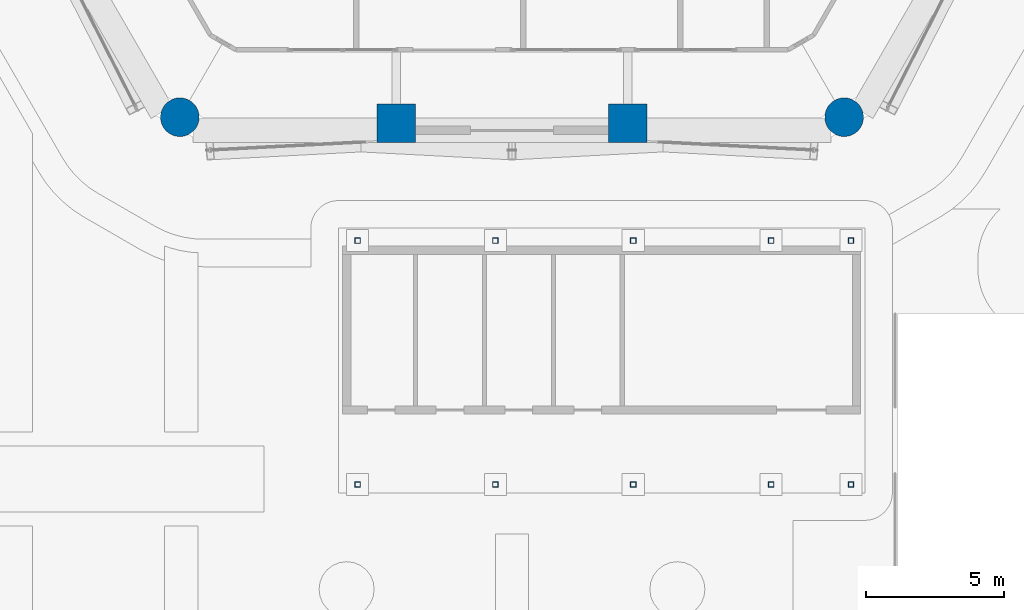
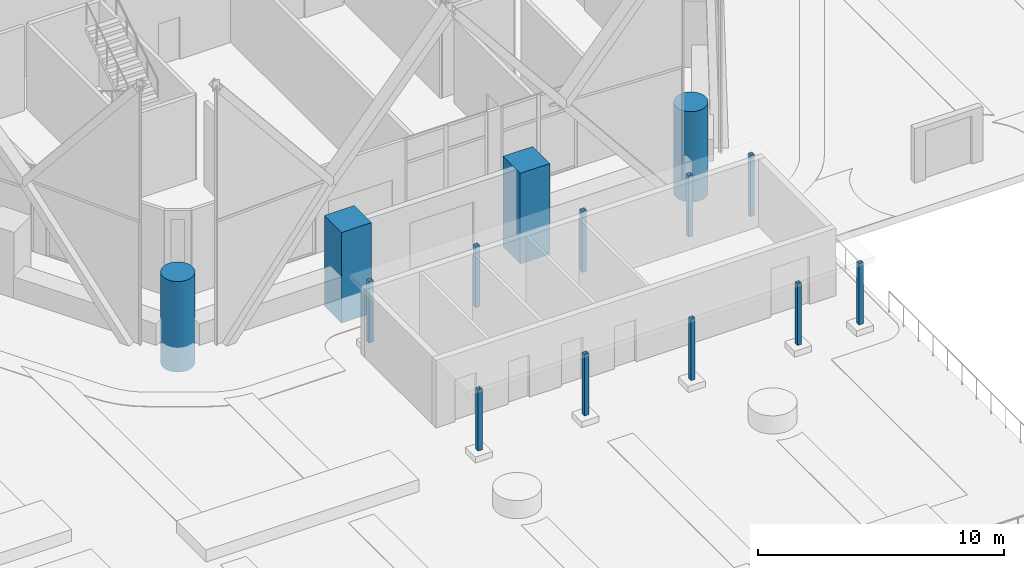
# One storey, part 2 of 71: 14 columns.
"""IFC4 building model written with IfcOpenShell, lengths in metres."""

from ifc_helpers import new_model, si_unit, direction, frame, origin, origin_2d, place, context, subcontext, project, spatial, rectangle, hollow_rectangle, circle, extrude, material, material_profile, profile_set, type_object, element, save


model = new_model("IFC4")

# Units and contexts
model_context = context("Model", 3, precision=1e-05, world=origin(), true_north=direction((0.0, 1.0)))
body_context = subcontext(model_context, "Body", "Model", "MODEL_VIEW")
ifc_project = project(units=[si_unit("LENGTHUNIT", "METRE"), si_unit("AREAUNIT", "SQUARE_METRE"), si_unit("VOLUMEUNIT", "CUBIC_METRE"), si_unit("PLANEANGLEUNIT", "RADIAN"), si_unit("MASSUNIT", "GRAM", prefix="KILO")], contexts=[model_context])

# Site, building, storey
site_placement = place(None, origin())
site = spatial("IfcSite", under=ifc_project, at=site_placement, CompositionType="ELEMENT")
building_placement = place(site_placement, origin())
building = spatial("IfcBuilding", under=site, at=building_placement, Name="Ostrander Bayou Hotel Tower", CompositionType="ELEMENT")
storey_placement = place(building_placement, frame((0.0, 0.0, 10.0)))
storey = spatial("IfcBuildingStorey", under=building, at=storey_placement, Name="L02", CompositionType="ELEMENT", Elevation=10.0)

# Columns
ifc_material_1 = material(Name="Concrete f'c 70 MPa", Category="concrete")
ifc_material_profile_1 = material_profile(ifc_material_1, circle(Radius=0.699951171875, at=origin_2d()))
ifc_profile_set_1 = profile_set([ifc_material_profile_1], Name="Concrete f'c 70 MPa")
column_type_1 = type_object("IfcColumnType", Name="C1 round column 1400 mm f'c 70 MPa", PredefinedType="COLUMN", material=ifc_profile_set_1)
for number, where, z_axis, x_axis, name in (
    (1, (-12.050537109375, -20.872314453125, -1.199951171875), (0.0, 0.0, 1.0), (1.0, 0.0, 0.0), "C1 L02 K2"),
    (2, (12.050537109375, -20.872314453125, -1.199951171875), (0.0, 0.0, 1.0), (1.0, 0.0, 0.0), "C1 L02 K3"),
):
    element("IfcColumn", number, at=place(storey_placement, frame(where, z_axis=z_axis, x_axis=x_axis)), inside=storey, type_object=column_type_1, Name=name, PredefinedType="COLUMN", context=body_context, shape_type="SweptSolid", body=[
        extrude(circle(Radius=0.699951171875, at=origin_2d()), origin(), (0.0, 0.0, 1.0), 4.5),
    ])
ifc_material_2 = material(Name="Concrete f'c 70 MPa", Category="concrete")
ifc_material_profile_2 = material_profile(ifc_material_2, rectangle(XDim=1.39990234375, YDim=1.39990234375, at=origin_2d()))
ifc_profile_set_2 = profile_set([ifc_material_profile_2], Name="Concrete f'c 70 MPa")
column_type_2 = type_object("IfcColumnType", Name="C2 square column 1400 x 1400 mm f'c 70 MPa", PredefinedType="COLUMN", material=ifc_profile_set_2)
for number, where, z_axis, x_axis, name in (
    (3, (-4.1953125, -21.10009765625, -1.199951171875), (0.0, 0.0, 1.0), (-1.0, 0.0, 0.0), "C2 L02 S1"),
    (4, (4.1953125, -21.10009765625, -1.199951171875), (0.0, 0.0, 1.0), (-1.0, 0.0, 0.0), "C2 L02 S2"),
):
    element("IfcColumn", number, at=place(storey_placement, frame(where, z_axis=z_axis, x_axis=x_axis)), inside=storey, type_object=column_type_2, Name=name, PredefinedType="COLUMN", context=body_context, shape_type="SweptSolid", body=[
        extrude(rectangle(XDim=1.39990234375, YDim=1.39990234375, at=origin_2d()), origin(), (0.0, 0.0, 1.0), 4.5),
    ])
ifc_material_3 = material(Name="Steel ASTM A500 Gr C", Category="steel")
ifc_material_profile_3 = material_profile(ifc_material_3, hollow_rectangle(XDim=0.203125, YDim=0.203125, WallThickness=0.01171875, at=origin_2d()))
ifc_profile_set_3 = profile_set([ifc_material_profile_3], Name="Steel ASTM A500 Gr C")
column_type_3 = type_object("IfcColumnType", Name="PG1 pergola post HSS8x8x1/2", PredefinedType="COLUMN", material=ifc_profile_set_3)
for number, where, z_axis, x_axis, name in (
    (5, (-5.60009765625, -34.199951171875, 0.300048828125), (0.0, 0.0, 1.0), (1.0, 0.0, 0.0), "PG1 pavilion post 1"),
    (6, (-0.60009765625, -34.199951171875, 0.300048828125), (0.0, 0.0, 1.0), (1.0, 0.0, 0.0), "PG1 pavilion post 2"),
    (7, (4.39990234375, -34.199951171875, 0.300048828125), (0.0, 0.0, 1.0), (1.0, 0.0, 0.0), "PG1 pavilion post 3"),
    (8, (9.39990234375, -34.199951171875, 0.300048828125), (0.0, 0.0, 1.0), (1.0, 0.0, 0.0), "PG1 pavilion post 4"),
    (9, (12.300048828125, -34.199951171875, 0.300048828125), (0.0, 0.0, 1.0), (1.0, 0.0, 0.0), "PG1 pavilion post 5"),
    (10, (-5.60009765625, -25.35009765625, 0.300048828125), (0.0, 0.0, 1.0), (1.0, 0.0, 0.0), "PG1 pavilion post 6"),
    (11, (-0.60009765625, -25.35009765625, 0.300048828125), (0.0, 0.0, 1.0), (1.0, 0.0, 0.0), "PG1 pavilion post 7"),
    (12, (4.39990234375, -25.35009765625, 0.300048828125), (0.0, 0.0, 1.0), (1.0, 0.0, 0.0), "PG1 pavilion post 8"),
    (13, (9.39990234375, -25.35009765625, 0.300048828125), (0.0, 0.0, 1.0), (1.0, 0.0, 0.0), "PG1 pavilion post 9"),
    (14, (12.300048828125, -25.35009765625, 0.300048828125), (0.0, 0.0, 1.0), (1.0, 0.0, 0.0), "PG1 pavilion post 10"),
):
    element("IfcColumn", number, at=place(storey_placement, frame(where, z_axis=z_axis, x_axis=x_axis)), inside=storey, type_object=column_type_3, Name=name, PredefinedType="COLUMN", context=body_context, shape_type="SweptSolid", body=[
        extrude(hollow_rectangle(XDim=0.203125, YDim=0.203125, WallThickness=0.01171875, at=origin_2d()), origin(), (0.0, 0.0, 1.0), 3.050048828125),
    ])

save(model, "model.ifc")
